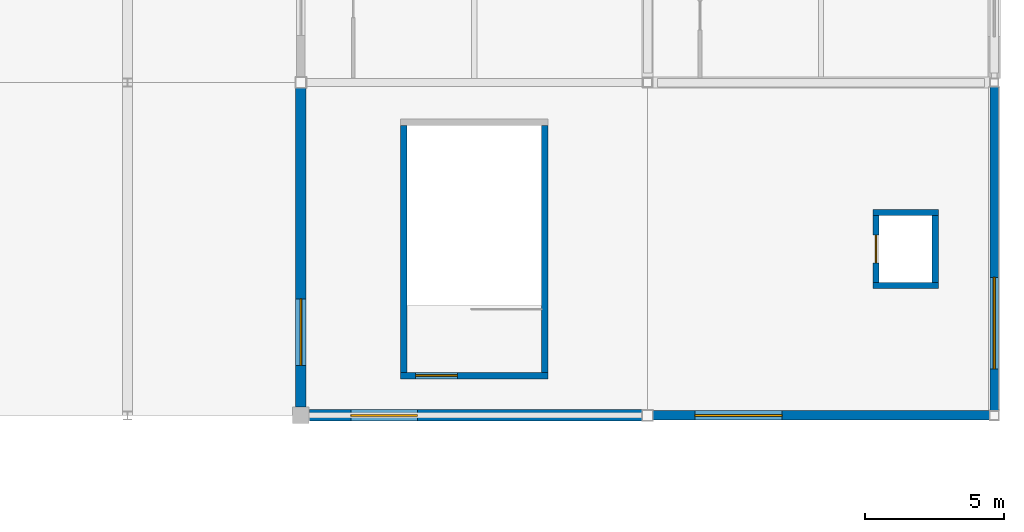
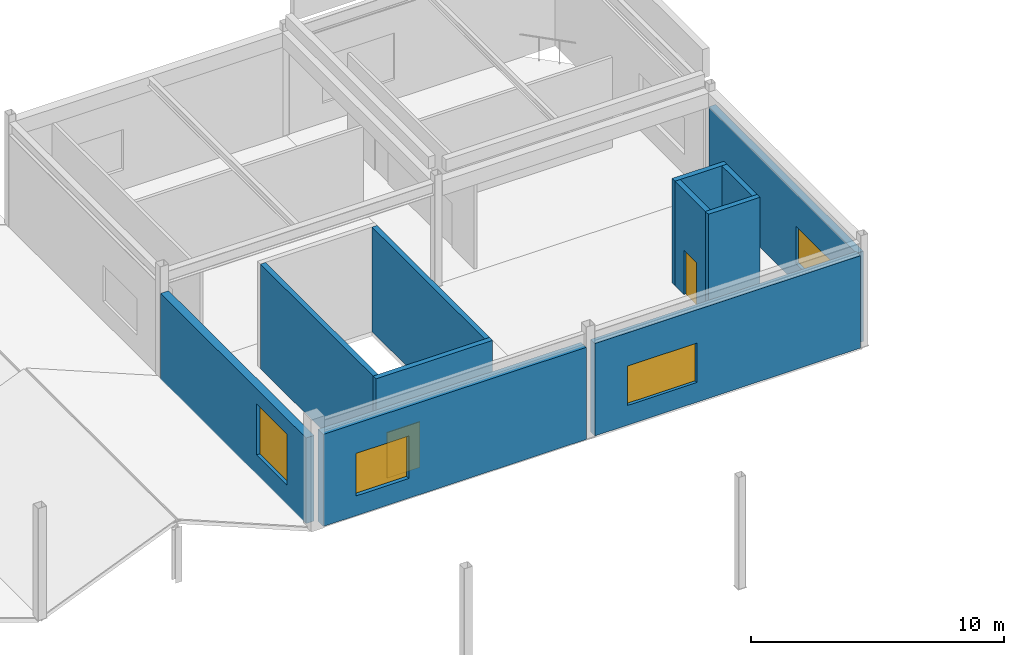
# One storey, part 67 of 76: 11 walls, 4 windows, 2 doors, 6 openings.
"""IFC4 building model written with IfcOpenShell, lengths in metres."""

from ifc_helpers import new_model, si_unit, direction, frame, frame_2d, origin, place, context, subcontext, project, spatial, rectangle, extrude, material, layer, layer_set, type_object, element, fill, save


model = new_model("IFC4")

# Units and contexts
model_context = context("Model", 3, precision=1e-05, world=origin(), true_north=direction((0.0, 1.0)))
body_context = subcontext(model_context, "Body", "Model", "MODEL_VIEW")
ifc_project = project(units=[si_unit("LENGTHUNIT", "METRE"), si_unit("AREAUNIT", "SQUARE_METRE"), si_unit("VOLUMEUNIT", "CUBIC_METRE"), si_unit("PLANEANGLEUNIT", "RADIAN"), si_unit("MASSUNIT", "GRAM", prefix="KILO")], contexts=[model_context])

# Site, building, storey
site_placement = place(None, origin())
site = spatial("IfcSite", under=ifc_project, at=site_placement, CompositionType="ELEMENT")
building_placement = place(site_placement, origin())
building = spatial("IfcBuilding", under=site, at=building_placement, Name="Kazenohara Klinker Stadium", CompositionType="ELEMENT")
storey_placement = place(building_placement, frame((0.0, 0.0, 25.800048828125)))
storey = spatial("IfcBuildingStorey", under=building, at=storey_placement, Name="L05", CompositionType="ELEMENT", Elevation=25.800048828125)

# Wall, opening, door
ifc_material_1 = material(Name="Concrete C40/50", Category="concrete")
ifc_layer_1 = layer(ifc_material_1, 0.22998046875)
ifc_layer_set_1 = layer_set([ifc_layer_1], Name="Concrete C40/50")
wall_type_1 = type_object("IfcWallType", Name="WAL-CORE-230", PredefinedType="SHEAR", material=ifc_layer_set_1)
wall_1_placement = place(storey_placement, frame((178.590087890625, 133.43505859375, 0.0), z_axis=(0.0, 0.0, 1.0), x_axis=(1.0, 0.0, 0.0)))
wall_1 = element("IfcWall", 1, at=wall_1_placement, inside=storey, type_object=wall_type_1, Name="Stairwell shear wall ST12 L05 South", PredefinedType="SHEAR", context=body_context, shape_type="SweptSolid", body=[
    extrude(rectangle(XDim=5.31982421875, YDim=0.22998046875, at=frame_2d((2.659912109375, 0.0))), origin(), (0.0, 0.0, 1.0), 5.0400390625),
])
opening_1_placement = place(wall_1_placement, frame((0.550048828125, 0.0, 0.0)))
opening_1 = element("IfcOpeningElement", 2, at=opening_1_placement, cuts=wall_1, Name="Opening SD02", PredefinedType="OPENING", context=body_context, shape_type="SweptSolid", body=[
    extrude(rectangle(XDim=1.5, YDim=2.199951171875, at=frame_2d((0.75, 1.10009765625))), frame((0.0, 0.125, 0.0), z_axis=(0.0, -1.0, 0.0), x_axis=(1.0, 0.0, 0.0)), (0.0, 0.0, 1.0), 0.25),
])
ifc_material_2 = material(Name="Flush painted steel fire door leaf", Category="steel")
door_type_1 = type_object("IfcDoorType", Name="DR-STR-1500x2200", OperationType="NOTDEFINED", PredefinedType="DOOR", material=ifc_material_2)
door_1_placement = place(opening_1_placement, origin())
door_1 = element("IfcDoor", 3, at=door_1_placement, inside=storey, type_object=door_type_1, Name="Escape stairwell fire door ST12-L05", OperationType="SINGLE_SWING_RIGHT", OverallHeight=2.199951171875, OverallWidth=1.5, PredefinedType="DOOR", context=body_context, shape_type="SweptSolid", body=[
    extrude(rectangle(XDim=1.5, YDim=2.199951171875, at=frame_2d((0.75, 1.10009765625))), frame((0.0, 0.02490234375, 0.0), z_axis=(0.0, -1.0, 0.0), x_axis=(1.0, 0.0, 0.0)), (0.0, 0.0, 1.0), 0.050048828125),
])
fill(opening_1, door_1)

# Walls
for number, where, z_axis, x_axis, name in (
    (4, (178.705078125, 133.550048828125, 0.0), (0.0, 0.0, 1.0), (0.0, 1.0, 0.0), "Stairwell shear wall ST12 L05 West"),
    (5, (183.794921875, 133.550048828125, 0.0), (0.0, 0.0, 1.0), (0.0, 1.0, 0.0), "Stairwell shear wall ST12 L05 East"),
):
    element("IfcWall", number, at=place(storey_placement, frame(where, z_axis=z_axis, x_axis=x_axis)), inside=storey, type_object=wall_type_1, Name=name, PredefinedType="SHEAR", context=body_context, shape_type="SweptSolid", body=[
        extrude(rectangle(XDim=8.89990234375, YDim=0.22998046875, at=frame_2d((4.449951171875, 0.0))), origin(), (0.0, 0.0, 1.0), 5.0400390625),
    ])
for number, where, z_axis, x_axis, name in (
    (6, (195.6201171875, 136.68505859375, 0.0), (0.0, 0.0, 1.0), (1.0, 0.0, 0.0), "Elevator shaft wall LP05 L05 South"),
    (7, (195.6201171875, 139.31494140625, 0.0), (0.0, 0.0, 1.0), (1.0, 0.0, 0.0), "Elevator shaft wall LP05 L05 North"),
):
    element("IfcWall", number, at=place(storey_placement, frame(where, z_axis=z_axis, x_axis=x_axis)), inside=storey, type_object=wall_type_1, Name=name, PredefinedType="SHEAR", context=body_context, shape_type="SweptSolid", body=[
        extrude(rectangle(XDim=2.35986328125, YDim=0.22998046875, at=frame_2d((1.179931640625, 0.0))), origin(), (0.0, 0.0, 1.0), 5.0400390625),
    ])

# Wall, opening, door
wall_2_placement = place(storey_placement, frame((195.735107421875, 136.800048828125, 0.0), z_axis=(0.0, 0.0, 1.0), x_axis=(0.0, 1.0, 0.0)))
wall_2 = element("IfcWall", 8, at=wall_2_placement, inside=storey, type_object=wall_type_1, Name="Elevator shaft wall LP05 L05 West", PredefinedType="SHEAR", context=body_context, shape_type="SweptSolid", body=[
    extrude(rectangle(XDim=2.39990234375, YDim=0.22998046875, at=frame_2d((1.199951171875, 0.0))), origin(), (0.0, 0.0, 1.0), 5.0400390625),
])
opening_2_placement = place(wall_2_placement, frame((0.699951171875, 0.0, 0.0)))
opening_2 = element("IfcOpeningElement", 9, at=opening_2_placement, cuts=wall_2, Name="Opening LD02", PredefinedType="OPENING", context=body_context, shape_type="SweptSolid", body=[
    extrude(rectangle(XDim=1.0, YDim=2.14990234375, at=frame_2d((0.5, 1.074951171875))), frame((0.0, 0.125, 0.0), z_axis=(0.0, -1.0, 0.0), x_axis=(1.0, 0.0, 0.0)), (0.0, 0.0, 1.0), 0.25),
])
ifc_material_3 = material(Name="Stainless steel sliding landing door", Category="steel")
door_type_2 = type_object("IfcDoorType", Name="DR-LD02-1000x2150", OperationType="NOTDEFINED", PredefinedType="DOOR", material=ifc_material_3)
door_2_placement = place(opening_2_placement, origin())
door_2 = element("IfcDoor", 10, at=door_2_placement, inside=storey, type_object=door_type_2, Name="Elevator sliding landing door LP05-L05", OperationType="DOUBLE_DOOR_SLIDING", OverallHeight=2.14990234375, OverallWidth=1.0, PredefinedType="DOOR", context=body_context, shape_type="SweptSolid", body=[
    extrude(rectangle(XDim=1.0, YDim=2.14990234375, at=frame_2d((0.5, 1.074951171875))), frame((0.0, 0.02490234375, 0.0), z_axis=(0.0, -1.0, 0.0), x_axis=(1.0, 0.0, 0.0)), (0.0, 0.0, 1.0), 0.050048828125),
])
fill(opening_2, door_2)

# Wall
wall_3_placement = place(storey_placement, frame((197.864990234375, 136.800048828125, 0.0), z_axis=(0.0, 0.0, 1.0), x_axis=(0.0, 1.0, 0.0)))
element("IfcWall", 11, at=wall_3_placement, inside=storey, type_object=wall_type_1, Name="Elevator shaft wall LP05 L05 East", PredefinedType="SHEAR", context=body_context, shape_type="SweptSolid", body=[
    extrude(rectangle(XDim=2.39990234375, YDim=0.22998046875, at=frame_2d((1.199951171875, 0.0))), origin(), (0.0, 0.0, 1.0), 5.0400390625),
])

# Wall, opening, window
ifc_material_4 = material(Name="Clinker brick masonry", Category="masonry")
ifc_layer_2 = layer(ifc_material_4, 0.31005859375)
ifc_layer_set_2 = layer_set([ifc_layer_2], Name="Clinker brick masonry")
wall_type_2 = type_object("IfcWallType", Name="WAL-EXT-CB310", PredefinedType="SOLIDWALL", material=ifc_layer_set_2)
wall_4_placement = place(storey_placement, frame((200.0, 132.178955078125, 0.0), z_axis=(0.0, 0.0, 1.0), x_axis=(0.0, 1.0, 0.0)))
wall_4 = element("IfcWall", 12, at=wall_4_placement, inside=storey, type_object=wall_type_2, Name="Clinker brick cavity wall EW05 L05 Y16-11", PredefinedType="SOLIDWALL", context=body_context, shape_type="SweptSolid", body=[
    extrude(rectangle(XDim=11.6669921875, YDim=0.31005859375, at=frame_2d((5.83349609375, 0.0))), origin(), (0.0, 0.0, 1.0), 4.33984375),
])
opening_3_placement = place(wall_4_placement, frame((1.5, 0.0, 0.949951171875)))
opening_3 = element("IfcOpeningElement", 13, at=opening_3_placement, cuts=wall_4, Name="Opening W33", PredefinedType="OPENING", context=body_context, shape_type="SweptSolid", body=[
    extrude(rectangle(XDim=3.300048828125, YDim=1.800048828125, at=frame_2d((1.64990234375, 0.89990234375))), frame((0.0, 0.1650390625, 0.0), z_axis=(0.0, -1.0, 0.0), x_axis=(1.0, 0.0, 0.0)), (0.0, 0.0, 1.0), 0.330078125),
])
ifc_material_5 = material(Name="Dark bronze aluminium frame and triple glazing", Category="aluminium")
window_type_1 = type_object("IfcWindowType", Name="WIN-AS-33", PartitioningType="SINGLE_PANEL", PredefinedType="WINDOW", material=ifc_material_5)
window_1_placement = place(opening_3_placement, origin())
window_1 = element("IfcWindow", 14, at=window_1_placement, inside=storey, type_object=window_type_1, Name="Horizontal-mullion ladder window W33 L05 Y16-11", OverallHeight=1.800048828125, OverallWidth=3.300048828125, PartitioningType="SINGLE_PANEL", PredefinedType="WINDOW", context=body_context, shape_type="SweptSolid", body=[
    extrude(rectangle(XDim=3.300048828125, YDim=1.800048828125, at=frame_2d((1.64990234375, 0.89990234375))), frame((0.0, 0.030029296875, 0.0), z_axis=(0.0, -1.0, 0.0), x_axis=(1.0, 0.0, 0.0)), (0.0, 0.0, 1.0), 0.06005859375),
])
fill(opening_3, window_1)

ifc_layer_3 = layer(ifc_material_4, 0.340087890625)
ifc_layer_set_3 = layer_set([ifc_layer_3], Name="Clinker brick masonry")
wall_type_3 = type_object("IfcWallType", Name="WAL-EXT-CB340", PredefinedType="SOLIDWALL", material=ifc_layer_set_3)
wall_5_placement = place(storey_placement, frame((187.7041015625, 132.0, 0.0), z_axis=(0.0, 0.0, 1.0), x_axis=(1.0, 0.0, 0.0)))
wall_5 = element("IfcWall", 15, at=wall_5_placement, inside=storey, type_object=wall_type_3, Name="Clinker brick cavity wall EW04 L05 X15-11", PredefinedType="SOLIDWALL", context=body_context, shape_type="SweptSolid", body=[
    extrude(rectangle(XDim=12.116943359375, YDim=0.340087890625, at=frame_2d((6.05859375, 0.0))), origin(), (0.0, 0.0, 1.0), 4.451904296875),
])
opening_4_placement = place(wall_5_placement, frame((1.5, 0.0, 0.949951171875)))
opening_4 = element("IfcOpeningElement", 16, at=opening_4_placement, cuts=wall_5, Name="Opening W32", PredefinedType="OPENING", context=body_context, shape_type="SweptSolid", body=[
    extrude(rectangle(XDim=3.14990234375, YDim=1.89990234375, at=frame_2d((1.574951171875, 0.949951171875))), frame((0.0, 0.18017578125, 0.0), z_axis=(0.0, -1.0, 0.0), x_axis=(1.0, 0.0, 0.0)), (0.0, 0.0, 1.0), 0.360107421875),
])
window_type_2 = type_object("IfcWindowType", Name="WIN-AS-32", PartitioningType="SINGLE_PANEL", PredefinedType="WINDOW", material=ifc_material_5)
window_2_placement = place(opening_4_placement, origin())
window_2 = element("IfcWindow", 17, at=window_2_placement, inside=storey, type_object=window_type_2, Name="Horizontal-mullion ladder window W32 L05 X15-11", OverallHeight=1.89990234375, OverallWidth=3.14990234375, PartitioningType="SINGLE_PANEL", PredefinedType="WINDOW", context=body_context, shape_type="SweptSolid", body=[
    extrude(rectangle(XDim=3.14990234375, YDim=1.89990234375, at=frame_2d((1.574951171875, 0.949951171875))), frame((0.0, 0.030029296875, 0.0), z_axis=(0.0, -1.0, 0.0), x_axis=(1.0, 0.0, 0.0)), (0.0, 0.0, 1.0), 0.06005859375),
])
fill(opening_4, window_2)

ifc_layer_4 = layer(ifc_material_4, 0.3701171875)
ifc_layer_set_4 = layer_set([ifc_layer_4], Name="Clinker brick masonry")
wall_type_4 = type_object("IfcWallType", Name="WAL-EXT-CB370", PredefinedType="SOLIDWALL", material=ifc_layer_set_4)
wall_6_placement = place(storey_placement, frame((175.0, 132.303955078125, 0.0), z_axis=(0.0, 0.0, 1.0), x_axis=(0.0, 1.0, 0.0)))
wall_6 = element("IfcWall", 18, at=wall_6_placement, inside=storey, type_object=wall_type_4, Name="Clinker brick cavity wall EW03 L05 Y14-11", PredefinedType="SOLIDWALL", context=body_context, shape_type="SweptSolid", body=[
    extrude(rectangle(XDim=11.491943359375, YDim=0.3701171875, at=frame_2d((5.74609375, 0.0))), origin(), (0.0, 0.0, 1.0), 4.1298828125),
])
opening_5_placement = place(wall_6_placement, frame((1.5, 0.0, 0.949951171875)))
opening_5 = element("IfcOpeningElement", 19, at=opening_5_placement, cuts=wall_6, Name="Opening W25", PredefinedType="OPENING", context=body_context, shape_type="SweptSolid", body=[
    extrude(rectangle(XDim=2.39990234375, YDim=2.449951171875, at=frame_2d((1.199951171875, 1.22509765625))), frame((0.0, 0.195068359375, 0.0), z_axis=(0.0, -1.0, 0.0), x_axis=(1.0, 0.0, 0.0)), (0.0, 0.0, 1.0), 0.39013671875),
])
window_type_3 = type_object("IfcWindowType", Name="WIN-AS-25", PartitioningType="SINGLE_PANEL", PredefinedType="WINDOW", material=ifc_material_5)
window_3_placement = place(opening_5_placement, origin())
window_3 = element("IfcWindow", 20, at=window_3_placement, inside=storey, type_object=window_type_3, Name="Horizontal-mullion ladder window W25 L05 Y14-11", OverallHeight=2.449951171875, OverallWidth=2.39990234375, PartitioningType="SINGLE_PANEL", PredefinedType="WINDOW", context=body_context, shape_type="SweptSolid", body=[
    extrude(rectangle(XDim=2.39990234375, YDim=2.449951171875, at=frame_2d((1.199951171875, 1.22509765625))), frame((0.0, 0.030029296875, 0.0), z_axis=(0.0, -1.0, 0.0), x_axis=(1.0, 0.0, 0.0)), (0.0, 0.0, 1.0), 0.06005859375),
])
fill(opening_5, window_3)

ifc_layer_5 = layer(ifc_material_4, 0.409912109375)
ifc_layer_set_5 = layer_set([ifc_layer_5], Name="Clinker brick masonry")
wall_type_5 = type_object("IfcWallType", Name="WAL-EXT-CB410", PredefinedType="SOLIDWALL", material=ifc_layer_set_5)
wall_7_placement = place(storey_placement, frame((175.303955078125, 132.0, 0.0), z_axis=(0.0, 0.0, 1.0), x_axis=(1.0, 0.0, 0.0)))
wall_7 = element("IfcWall", 21, at=wall_7_placement, inside=storey, type_object=wall_type_5, Name="Clinker brick cavity wall EW02 L05 X14-11", PredefinedType="SOLIDWALL", context=body_context, shape_type="SweptSolid", body=[
    extrude(rectangle(XDim=11.991943359375, YDim=0.409912109375, at=frame_2d((5.99609375, 0.0))), origin(), (0.0, 0.0, 1.0), 4.43994140625),
])
opening_6_placement = place(wall_7_placement, frame((1.5, 0.0, 0.949951171875)))
opening_6 = element("IfcOpeningElement", 22, at=opening_6_placement, cuts=wall_7, Name="Opening W24", PredefinedType="OPENING", context=body_context, shape_type="SweptSolid", body=[
    extrude(rectangle(XDim=2.39990234375, YDim=2.050048828125, at=frame_2d((1.199951171875, 1.02490234375))), frame((0.0, 0.21484375, 0.0), z_axis=(0.0, -1.0, 0.0), x_axis=(1.0, 0.0, 0.0)), (0.0, 0.0, 1.0), 0.429931640625),
])
window_type_4 = type_object("IfcWindowType", Name="WIN-AS-24", PartitioningType="SINGLE_PANEL", PredefinedType="WINDOW", material=ifc_material_5)
window_4_placement = place(opening_6_placement, origin())
window_4 = element("IfcWindow", 23, at=window_4_placement, inside=storey, type_object=window_type_4, Name="Horizontal-mullion ladder window W24 L05 X14-11", OverallHeight=2.050048828125, OverallWidth=2.39990234375, PartitioningType="SINGLE_PANEL", PredefinedType="WINDOW", context=body_context, shape_type="SweptSolid", body=[
    extrude(rectangle(XDim=2.39990234375, YDim=2.050048828125, at=frame_2d((1.199951171875, 1.02490234375))), frame((0.0, 0.030029296875, 0.0), z_axis=(0.0, -1.0, 0.0), x_axis=(1.0, 0.0, 0.0)), (0.0, 0.0, 1.0), 0.06005859375),
])
fill(opening_6, window_4)

save(model, "model.ifc")
